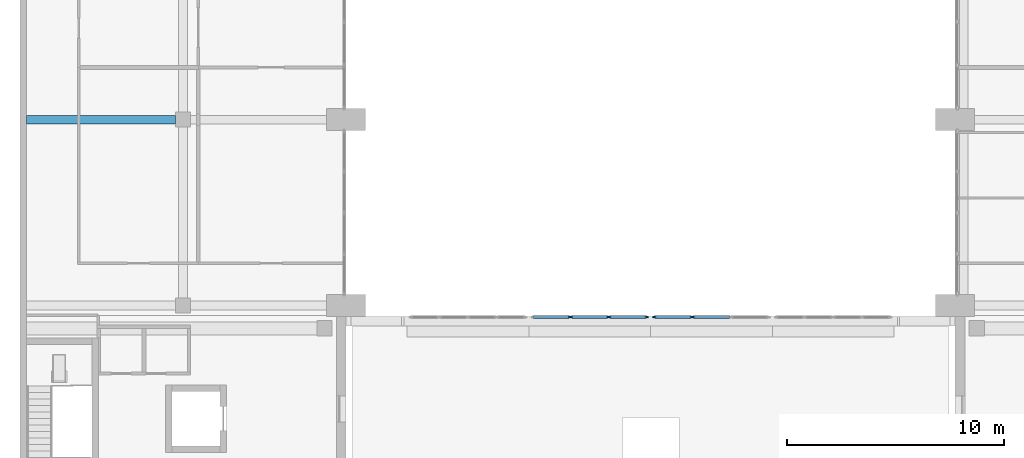
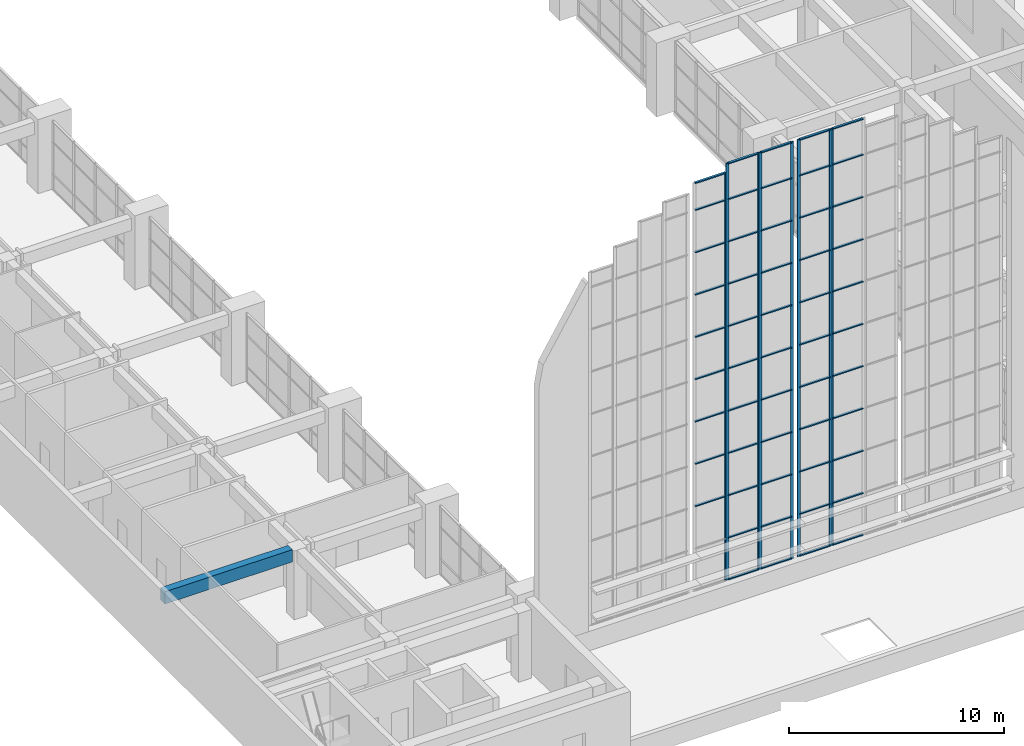
# One storey, part 3 of 45: 61 members, 1 beam, 5 elements without a shape of their own.
"""IFC4 building model written with IfcOpenShell, lengths in metres."""

from ifc_helpers import new_model, si_unit, direction, frame, origin, origin_2d, place, context, subcontext, project, spatial, rectangle, extrude, material, material_profile, profile_set, type_object, element, aggregate, save


model = new_model("IFC4")

# Units and contexts
model_context = context("Model", 3, precision=1e-05, world=origin(), true_north=direction((0.0, 1.0)))
body_context = subcontext(model_context, "Body", "Model", "MODEL_VIEW")
ifc_project = project(units=[si_unit("LENGTHUNIT", "METRE"), si_unit("AREAUNIT", "SQUARE_METRE"), si_unit("VOLUMEUNIT", "CUBIC_METRE"), si_unit("PLANEANGLEUNIT", "RADIAN"), si_unit("MASSUNIT", "GRAM", prefix="KILO")], contexts=[model_context])

# Site, building, storey
site_placement = place(None, origin())
site = spatial("IfcSite", under=ifc_project, at=site_placement, CompositionType="ELEMENT")
building_placement = place(site_placement, origin())
building = spatial("IfcBuilding", under=site, at=building_placement, Name="Elmora Arch Market Hall", CompositionType="ELEMENT")
storey_placement = place(building_placement, frame((0.0, 0.0, 6.0)))
storey = spatial("IfcBuildingStorey", under=building, at=storey_placement, Name="L01", CompositionType="ELEMENT", Elevation=6.0)

# Curtain wall, member
ifc_material_1 = material(Name="Aluminium", Category="aluminium")
curtain_wall_type = type_object("IfcCurtainWallType", Name="Gable curtain wall", PredefinedType="NOTDEFINED", material=ifc_material_1)
curtain_wall_1_placement = place(storey_placement, origin())
curtain_wall_1 = element("IfcCurtainWall", 1, at=curtain_wall_1_placement, inside=storey, type_object=curtain_wall_type, Name="South gable glazing 5", PredefinedType="NOTDEFINED")
ifc_material_2 = material(Name="Aluminium", Category="aluminium")
ifc_material_profile_1 = material_profile(ifc_material_2, rectangle(XDim=0.06005859375, YDim=0.159912109375, at=origin_2d()), Name="AL 60x160")
ifc_profile_set_1 = profile_set([ifc_material_profile_1], Name="Aluminium")
member_type_1 = type_object("IfcMemberType", Name="Mullion 60x160", PredefinedType="MULLION", material=ifc_profile_set_1)
member_1_placement = place(storey_placement, frame((25.28662109375, 26.919921875, 1.199951171875), z_axis=(0.0, 0.0, 1.0), x_axis=(0.0, 1.0, 0.0)))
member_1 = element("IfcMember", 2, at=member_1_placement, type_object=member_type_1, Name="CW8 mullion 2", PredefinedType="MULLION", context=body_context, shape_type="SweptSolid", body=[
    extrude(rectangle(XDim=0.06005859375, YDim=0.159912109375, at=origin_2d()), origin(), (0.0, 0.0, 1.0), 23.157958984375),
])

# Curtain wall, members
curtain_wall_2_placement = place(storey_placement, origin())
curtain_wall_2 = element("IfcCurtainWall", 3, at=curtain_wall_2_placement, inside=storey, type_object=curtain_wall_type, Name="South gable glazing 6", PredefinedType="NOTDEFINED")
member_2_placement = place(storey_placement, frame((25.3466796875, 26.919921875, 1.199951171875), z_axis=(0.0, 0.0, 1.0), x_axis=(0.0, 1.0, 0.0)))
member_2 = element("IfcMember", 4, at=member_2_placement, type_object=member_type_1, Name="CW8 mullion 1", PredefinedType="MULLION", context=body_context, shape_type="SweptSolid", body=[
    extrude(rectangle(XDim=0.06005859375, YDim=0.159912109375, at=origin_2d()), origin(), (0.0, 0.0, 1.0), 23.650146484375),
])
member_3_placement = place(storey_placement, frame((27.05322265625, 26.919921875, 1.199951171875), z_axis=(0.0, 0.0, 1.0), x_axis=(0.0, 1.0, 0.0)))
member_3 = element("IfcMember", 5, at=member_3_placement, type_object=member_type_1, Name="CW8 mullion 2", PredefinedType="MULLION", context=body_context, shape_type="SweptSolid", body=[
    extrude(rectangle(XDim=0.06005859375, YDim=0.159912109375, at=origin_2d()), origin(), (0.0, 0.0, 1.0), 23.650146484375),
])

curtain_wall_3_placement = place(storey_placement, origin())
curtain_wall_3 = element("IfcCurtainWall", 6, at=curtain_wall_3_placement, inside=storey, type_object=curtain_wall_type, Name="South gable glazing 7", PredefinedType="NOTDEFINED")
member_4_placement = place(storey_placement, frame((27.11328125, 26.919921875, 1.199951171875), z_axis=(0.0, 0.0, 1.0), x_axis=(0.0, 1.0, 0.0)))
member_4 = element("IfcMember", 7, at=member_4_placement, type_object=member_type_1, Name="CW8 mullion 1", PredefinedType="MULLION", context=body_context, shape_type="SweptSolid", body=[
    extrude(rectangle(XDim=0.06005859375, YDim=0.159912109375, at=origin_2d()), origin(), (0.0, 0.0, 1.0), 23.650146484375),
])
member_5_placement = place(storey_placement, frame((28.820068359375, 26.919921875, 1.199951171875), z_axis=(0.0, 0.0, 1.0), x_axis=(0.0, 1.0, 0.0)))
member_5 = element("IfcMember", 8, at=member_5_placement, type_object=member_type_1, Name="CW8 mullion 2", PredefinedType="MULLION", context=body_context, shape_type="SweptSolid", body=[
    extrude(rectangle(XDim=0.06005859375, YDim=0.159912109375, at=origin_2d()), origin(), (0.0, 0.0, 1.0), 23.650146484375),
])

curtain_wall_4_placement = place(storey_placement, origin())
curtain_wall_4 = element("IfcCurtainWall", 9, at=curtain_wall_4_placement, inside=storey, type_object=curtain_wall_type, Name="South gable glazing 8", PredefinedType="NOTDEFINED")
member_6_placement = place(storey_placement, frame((29.179931640625, 26.919921875, 1.199951171875), z_axis=(0.0, 0.0, 1.0), x_axis=(0.0, 1.0, 0.0)))
member_6 = element("IfcMember", 10, at=member_6_placement, type_object=member_type_1, Name="CW8 mullion 1", PredefinedType="MULLION", context=body_context, shape_type="SweptSolid", body=[
    extrude(rectangle(XDim=0.06005859375, YDim=0.159912109375, at=origin_2d()), origin(), (0.0, 0.0, 1.0), 23.650146484375),
])
member_7_placement = place(storey_placement, frame((30.88671875, 26.919921875, 1.199951171875), z_axis=(0.0, 0.0, 1.0), x_axis=(0.0, 1.0, 0.0)))
member_7 = element("IfcMember", 11, at=member_7_placement, type_object=member_type_1, Name="CW8 mullion 2", PredefinedType="MULLION", context=body_context, shape_type="SweptSolid", body=[
    extrude(rectangle(XDim=0.06005859375, YDim=0.159912109375, at=origin_2d()), origin(), (0.0, 0.0, 1.0), 23.650146484375),
])

# Curtain wall, member
curtain_wall_5_placement = place(storey_placement, origin())
curtain_wall_5 = element("IfcCurtainWall", 12, at=curtain_wall_5_placement, inside=storey, type_object=curtain_wall_type, Name="South gable glazing 9", PredefinedType="NOTDEFINED")
member_8_placement = place(storey_placement, frame((30.94677734375, 26.919921875, 1.199951171875), z_axis=(0.0, 0.0, 1.0), x_axis=(0.0, 1.0, 0.0)))
member_8 = element("IfcMember", 13, at=member_8_placement, type_object=member_type_1, Name="CW8 mullion 1", PredefinedType="MULLION", context=body_context, shape_type="SweptSolid", body=[
    extrude(rectangle(XDim=0.06005859375, YDim=0.159912109375, at=origin_2d()), origin(), (0.0, 0.0, 1.0), 23.650146484375),
])

# Member
ifc_material_3 = material(Name="Aluminium", Category="aluminium")
ifc_material_profile_2 = material_profile(ifc_material_3, rectangle(XDim=0.1201171875, YDim=0.06005859375, at=origin_2d()), Name="AL 120x60")
ifc_profile_set_2 = profile_set([ifc_material_profile_2], Name="Aluminium")
member_type_2 = type_object("IfcMemberType", Name="Transom 120x60", PredefinedType="USERDEFINED", material=ifc_profile_set_2)
member_9_placement = place(storey_placement, frame((23.610107421875, 26.919921875, 6.0), z_axis=(1.0, 0.0, 0.0), x_axis=(0.0, 1.0, 0.0)))
member_9 = element("IfcMember", 14, at=member_9_placement, type_object=member_type_2, Name="CW8 transom 1.3", ObjectType="TRANSOM", PredefinedType="USERDEFINED", context=body_context, shape_type="SweptSolid", body=[
    extrude(rectangle(XDim=0.1201171875, YDim=0.06005859375, at=origin_2d()), origin(), (0.0, 0.0, 1.0), 1.646484375),
])

member_10_placement = place(storey_placement, frame((23.610107421875, 26.919921875, 8.39990234375), z_axis=(1.0, 0.0, 0.0), x_axis=(0.0, 1.0, 0.0)))
member_10 = element("IfcMember", 15, at=member_10_placement, type_object=member_type_2, Name="CW8 transom 1.4", ObjectType="TRANSOM", PredefinedType="USERDEFINED", context=body_context, shape_type="SweptSolid", body=[
    extrude(rectangle(XDim=0.1201171875, YDim=0.06005859375, at=origin_2d()), origin(), (0.0, 0.0, 1.0), 1.646484375),
])

member_11_placement = place(storey_placement, frame((23.610107421875, 26.919921875, 10.800048828125), z_axis=(1.0, 0.0, 0.0), x_axis=(0.0, 1.0, 0.0)))
member_11 = element("IfcMember", 16, at=member_11_placement, type_object=member_type_2, Name="CW8 transom 1.5", ObjectType="TRANSOM", PredefinedType="USERDEFINED", context=body_context, shape_type="SweptSolid", body=[
    extrude(rectangle(XDim=0.1201171875, YDim=0.06005859375, at=origin_2d()), origin(), (0.0, 0.0, 1.0), 1.646484375),
])

member_12_placement = place(storey_placement, frame((23.610107421875, 26.919921875, 13.199951171875), z_axis=(1.0, 0.0, 0.0), x_axis=(0.0, 1.0, 0.0)))
member_12 = element("IfcMember", 17, at=member_12_placement, type_object=member_type_2, Name="CW8 transom 1.6", ObjectType="TRANSOM", PredefinedType="USERDEFINED", context=body_context, shape_type="SweptSolid", body=[
    extrude(rectangle(XDim=0.1201171875, YDim=0.06005859375, at=origin_2d()), origin(), (0.0, 0.0, 1.0), 1.646484375),
])

member_13_placement = place(storey_placement, frame((23.610107421875, 26.919921875, 15.60009765625), z_axis=(1.0, 0.0, 0.0), x_axis=(0.0, 1.0, 0.0)))
member_13 = element("IfcMember", 18, at=member_13_placement, type_object=member_type_2, Name="CW8 transom 1.7", ObjectType="TRANSOM", PredefinedType="USERDEFINED", context=body_context, shape_type="SweptSolid", body=[
    extrude(rectangle(XDim=0.1201171875, YDim=0.06005859375, at=origin_2d()), origin(), (0.0, 0.0, 1.0), 1.646484375),
])

member_14_placement = place(storey_placement, frame((23.610107421875, 26.919921875, 18.0), z_axis=(1.0, 0.0, 0.0), x_axis=(0.0, 1.0, 0.0)))
member_14 = element("IfcMember", 19, at=member_14_placement, type_object=member_type_2, Name="CW8 transom 1.8", ObjectType="TRANSOM", PredefinedType="USERDEFINED", context=body_context, shape_type="SweptSolid", body=[
    extrude(rectangle(XDim=0.1201171875, YDim=0.06005859375, at=origin_2d()), origin(), (0.0, 0.0, 1.0), 1.646484375),
])

member_15_placement = place(storey_placement, frame((23.610107421875, 26.919921875, 20.39990234375), z_axis=(1.0, 0.0, 0.0), x_axis=(0.0, 1.0, 0.0)))
member_15 = element("IfcMember", 20, at=member_15_placement, type_object=member_type_2, Name="CW8 transom 1.9", ObjectType="TRANSOM", PredefinedType="USERDEFINED", context=body_context, shape_type="SweptSolid", body=[
    extrude(rectangle(XDim=0.1201171875, YDim=0.06005859375, at=origin_2d()), origin(), (0.0, 0.0, 1.0), 1.646484375),
])

member_16_placement = place(storey_placement, frame((23.610107421875, 26.919921875, 22.800048828125), z_axis=(1.0, 0.0, 0.0), x_axis=(0.0, 1.0, 0.0)))
member_16 = element("IfcMember", 21, at=member_16_placement, type_object=member_type_2, Name="CW8 transom 1.10", ObjectType="TRANSOM", PredefinedType="USERDEFINED", context=body_context, shape_type="SweptSolid", body=[
    extrude(rectangle(XDim=0.1201171875, YDim=0.06005859375, at=origin_2d()), origin(), (0.0, 0.0, 1.0), 1.646484375),
])

member_17_placement = place(storey_placement, frame((23.610107421875, 26.919921875, 24.327880859375), z_axis=(1.0, 0.0, 0.0), x_axis=(0.0, 1.0, 0.0)))
member_17 = element("IfcMember", 22, at=member_17_placement, type_object=member_type_2, Name="CW8 transom 1.11", ObjectType="TRANSOM", PredefinedType="USERDEFINED", context=body_context, shape_type="SweptSolid", body=[
    extrude(rectangle(XDim=0.1201171875, YDim=0.06005859375, at=origin_2d()), origin(), (0.0, 0.0, 1.0), 1.646484375),
])

aggregate(curtain_wall_1, [member_1, member_9, member_10, member_11, member_12, member_13, member_14, member_15, member_16, member_17])

member_18_placement = place(storey_placement, frame((25.376708984375, 26.919921875, 1.22998046875), z_axis=(1.0, 0.0, 0.0), x_axis=(0.0, 1.0, 0.0)))
member_18 = element("IfcMember", 23, at=member_18_placement, type_object=member_type_2, Name="CW8 transom 1.1", ObjectType="TRANSOM", PredefinedType="USERDEFINED", context=body_context, shape_type="SweptSolid", body=[
    extrude(rectangle(XDim=0.1201171875, YDim=0.06005859375, at=origin_2d()), origin(), (0.0, 0.0, 1.0), 1.646728515625),
])

member_19_placement = place(storey_placement, frame((25.376708984375, 26.919921875, 3.60009765625), z_axis=(1.0, 0.0, 0.0), x_axis=(0.0, 1.0, 0.0)))
member_19 = element("IfcMember", 24, at=member_19_placement, type_object=member_type_2, Name="CW8 transom 1.2", ObjectType="TRANSOM", PredefinedType="USERDEFINED", context=body_context, shape_type="SweptSolid", body=[
    extrude(rectangle(XDim=0.1201171875, YDim=0.06005859375, at=origin_2d()), origin(), (0.0, 0.0, 1.0), 1.646728515625),
])

member_20_placement = place(storey_placement, frame((25.376708984375, 26.919921875, 6.0), z_axis=(1.0, 0.0, 0.0), x_axis=(0.0, 1.0, 0.0)))
member_20 = element("IfcMember", 25, at=member_20_placement, type_object=member_type_2, Name="CW8 transom 1.3", ObjectType="TRANSOM", PredefinedType="USERDEFINED", context=body_context, shape_type="SweptSolid", body=[
    extrude(rectangle(XDim=0.1201171875, YDim=0.06005859375, at=origin_2d()), origin(), (0.0, 0.0, 1.0), 1.646728515625),
])

member_21_placement = place(storey_placement, frame((25.376708984375, 26.919921875, 8.39990234375), z_axis=(1.0, 0.0, 0.0), x_axis=(0.0, 1.0, 0.0)))
member_21 = element("IfcMember", 26, at=member_21_placement, type_object=member_type_2, Name="CW8 transom 1.4", ObjectType="TRANSOM", PredefinedType="USERDEFINED", context=body_context, shape_type="SweptSolid", body=[
    extrude(rectangle(XDim=0.1201171875, YDim=0.06005859375, at=origin_2d()), origin(), (0.0, 0.0, 1.0), 1.646728515625),
])

member_22_placement = place(storey_placement, frame((25.376708984375, 26.919921875, 10.800048828125), z_axis=(1.0, 0.0, 0.0), x_axis=(0.0, 1.0, 0.0)))
member_22 = element("IfcMember", 27, at=member_22_placement, type_object=member_type_2, Name="CW8 transom 1.5", ObjectType="TRANSOM", PredefinedType="USERDEFINED", context=body_context, shape_type="SweptSolid", body=[
    extrude(rectangle(XDim=0.1201171875, YDim=0.06005859375, at=origin_2d()), origin(), (0.0, 0.0, 1.0), 1.646728515625),
])

member_23_placement = place(storey_placement, frame((25.376708984375, 26.919921875, 13.199951171875), z_axis=(1.0, 0.0, 0.0), x_axis=(0.0, 1.0, 0.0)))
member_23 = element("IfcMember", 28, at=member_23_placement, type_object=member_type_2, Name="CW8 transom 1.6", ObjectType="TRANSOM", PredefinedType="USERDEFINED", context=body_context, shape_type="SweptSolid", body=[
    extrude(rectangle(XDim=0.1201171875, YDim=0.06005859375, at=origin_2d()), origin(), (0.0, 0.0, 1.0), 1.646728515625),
])

member_24_placement = place(storey_placement, frame((25.376708984375, 26.919921875, 15.60009765625), z_axis=(1.0, 0.0, 0.0), x_axis=(0.0, 1.0, 0.0)))
member_24 = element("IfcMember", 29, at=member_24_placement, type_object=member_type_2, Name="CW8 transom 1.7", ObjectType="TRANSOM", PredefinedType="USERDEFINED", context=body_context, shape_type="SweptSolid", body=[
    extrude(rectangle(XDim=0.1201171875, YDim=0.06005859375, at=origin_2d()), origin(), (0.0, 0.0, 1.0), 1.646728515625),
])

member_25_placement = place(storey_placement, frame((25.376708984375, 26.919921875, 18.0), z_axis=(1.0, 0.0, 0.0), x_axis=(0.0, 1.0, 0.0)))
member_25 = element("IfcMember", 30, at=member_25_placement, type_object=member_type_2, Name="CW8 transom 1.8", ObjectType="TRANSOM", PredefinedType="USERDEFINED", context=body_context, shape_type="SweptSolid", body=[
    extrude(rectangle(XDim=0.1201171875, YDim=0.06005859375, at=origin_2d()), origin(), (0.0, 0.0, 1.0), 1.646728515625),
])

member_26_placement = place(storey_placement, frame((25.376708984375, 26.919921875, 20.39990234375), z_axis=(1.0, 0.0, 0.0), x_axis=(0.0, 1.0, 0.0)))
member_26 = element("IfcMember", 31, at=member_26_placement, type_object=member_type_2, Name="CW8 transom 1.9", ObjectType="TRANSOM", PredefinedType="USERDEFINED", context=body_context, shape_type="SweptSolid", body=[
    extrude(rectangle(XDim=0.1201171875, YDim=0.06005859375, at=origin_2d()), origin(), (0.0, 0.0, 1.0), 1.646728515625),
])

member_27_placement = place(storey_placement, frame((25.376708984375, 26.919921875, 22.800048828125), z_axis=(1.0, 0.0, 0.0), x_axis=(0.0, 1.0, 0.0)))
member_27 = element("IfcMember", 32, at=member_27_placement, type_object=member_type_2, Name="CW8 transom 1.10", ObjectType="TRANSOM", PredefinedType="USERDEFINED", context=body_context, shape_type="SweptSolid", body=[
    extrude(rectangle(XDim=0.1201171875, YDim=0.06005859375, at=origin_2d()), origin(), (0.0, 0.0, 1.0), 1.646728515625),
])

member_28_placement = place(storey_placement, frame((25.376708984375, 26.919921875, 24.820068359375), z_axis=(1.0, 0.0, 0.0), x_axis=(0.0, 1.0, 0.0)))
member_28 = element("IfcMember", 33, at=member_28_placement, type_object=member_type_2, Name="CW8 transom 1.11", ObjectType="TRANSOM", PredefinedType="USERDEFINED", context=body_context, shape_type="SweptSolid", body=[
    extrude(rectangle(XDim=0.1201171875, YDim=0.06005859375, at=origin_2d()), origin(), (0.0, 0.0, 1.0), 1.646728515625),
])

aggregate(curtain_wall_2, [member_2, member_3, member_18, member_19, member_20, member_21, member_22, member_23, member_24, member_25, member_26, member_27, member_28])

member_29_placement = place(storey_placement, frame((27.143310546875, 26.919921875, 1.22998046875), z_axis=(1.0, 0.0, 0.0), x_axis=(0.0, 1.0, 0.0)))
member_29 = element("IfcMember", 34, at=member_29_placement, type_object=member_type_2, Name="CW8 transom 1.1", ObjectType="TRANSOM", PredefinedType="USERDEFINED", context=body_context, shape_type="SweptSolid", body=[
    extrude(rectangle(XDim=0.1201171875, YDim=0.06005859375, at=origin_2d()), origin(), (0.0, 0.0, 1.0), 1.646728515625),
])

member_30_placement = place(storey_placement, frame((27.143310546875, 26.919921875, 3.60009765625), z_axis=(1.0, 0.0, 0.0), x_axis=(0.0, 1.0, 0.0)))
member_30 = element("IfcMember", 35, at=member_30_placement, type_object=member_type_2, Name="CW8 transom 1.2", ObjectType="TRANSOM", PredefinedType="USERDEFINED", context=body_context, shape_type="SweptSolid", body=[
    extrude(rectangle(XDim=0.1201171875, YDim=0.06005859375, at=origin_2d()), origin(), (0.0, 0.0, 1.0), 1.646728515625),
])

member_31_placement = place(storey_placement, frame((27.143310546875, 26.919921875, 6.0), z_axis=(1.0, 0.0, 0.0), x_axis=(0.0, 1.0, 0.0)))
member_31 = element("IfcMember", 36, at=member_31_placement, type_object=member_type_2, Name="CW8 transom 1.3", ObjectType="TRANSOM", PredefinedType="USERDEFINED", context=body_context, shape_type="SweptSolid", body=[
    extrude(rectangle(XDim=0.1201171875, YDim=0.06005859375, at=origin_2d()), origin(), (0.0, 0.0, 1.0), 1.646728515625),
])

member_32_placement = place(storey_placement, frame((27.143310546875, 26.919921875, 8.39990234375), z_axis=(1.0, 0.0, 0.0), x_axis=(0.0, 1.0, 0.0)))
member_32 = element("IfcMember", 37, at=member_32_placement, type_object=member_type_2, Name="CW8 transom 1.4", ObjectType="TRANSOM", PredefinedType="USERDEFINED", context=body_context, shape_type="SweptSolid", body=[
    extrude(rectangle(XDim=0.1201171875, YDim=0.06005859375, at=origin_2d()), origin(), (0.0, 0.0, 1.0), 1.646728515625),
])

member_33_placement = place(storey_placement, frame((27.143310546875, 26.919921875, 10.800048828125), z_axis=(1.0, 0.0, 0.0), x_axis=(0.0, 1.0, 0.0)))
member_33 = element("IfcMember", 38, at=member_33_placement, type_object=member_type_2, Name="CW8 transom 1.5", ObjectType="TRANSOM", PredefinedType="USERDEFINED", context=body_context, shape_type="SweptSolid", body=[
    extrude(rectangle(XDim=0.1201171875, YDim=0.06005859375, at=origin_2d()), origin(), (0.0, 0.0, 1.0), 1.646728515625),
])

member_34_placement = place(storey_placement, frame((27.143310546875, 26.919921875, 13.199951171875), z_axis=(1.0, 0.0, 0.0), x_axis=(0.0, 1.0, 0.0)))
member_34 = element("IfcMember", 39, at=member_34_placement, type_object=member_type_2, Name="CW8 transom 1.6", ObjectType="TRANSOM", PredefinedType="USERDEFINED", context=body_context, shape_type="SweptSolid", body=[
    extrude(rectangle(XDim=0.1201171875, YDim=0.06005859375, at=origin_2d()), origin(), (0.0, 0.0, 1.0), 1.646728515625),
])

member_35_placement = place(storey_placement, frame((27.143310546875, 26.919921875, 15.60009765625), z_axis=(1.0, 0.0, 0.0), x_axis=(0.0, 1.0, 0.0)))
member_35 = element("IfcMember", 40, at=member_35_placement, type_object=member_type_2, Name="CW8 transom 1.7", ObjectType="TRANSOM", PredefinedType="USERDEFINED", context=body_context, shape_type="SweptSolid", body=[
    extrude(rectangle(XDim=0.1201171875, YDim=0.06005859375, at=origin_2d()), origin(), (0.0, 0.0, 1.0), 1.646728515625),
])

member_36_placement = place(storey_placement, frame((27.143310546875, 26.919921875, 18.0), z_axis=(1.0, 0.0, 0.0), x_axis=(0.0, 1.0, 0.0)))
member_36 = element("IfcMember", 41, at=member_36_placement, type_object=member_type_2, Name="CW8 transom 1.8", ObjectType="TRANSOM", PredefinedType="USERDEFINED", context=body_context, shape_type="SweptSolid", body=[
    extrude(rectangle(XDim=0.1201171875, YDim=0.06005859375, at=origin_2d()), origin(), (0.0, 0.0, 1.0), 1.646728515625),
])

member_37_placement = place(storey_placement, frame((27.143310546875, 26.919921875, 20.39990234375), z_axis=(1.0, 0.0, 0.0), x_axis=(0.0, 1.0, 0.0)))
member_37 = element("IfcMember", 42, at=member_37_placement, type_object=member_type_2, Name="CW8 transom 1.9", ObjectType="TRANSOM", PredefinedType="USERDEFINED", context=body_context, shape_type="SweptSolid", body=[
    extrude(rectangle(XDim=0.1201171875, YDim=0.06005859375, at=origin_2d()), origin(), (0.0, 0.0, 1.0), 1.646728515625),
])

member_38_placement = place(storey_placement, frame((27.143310546875, 26.919921875, 22.800048828125), z_axis=(1.0, 0.0, 0.0), x_axis=(0.0, 1.0, 0.0)))
member_38 = element("IfcMember", 43, at=member_38_placement, type_object=member_type_2, Name="CW8 transom 1.10", ObjectType="TRANSOM", PredefinedType="USERDEFINED", context=body_context, shape_type="SweptSolid", body=[
    extrude(rectangle(XDim=0.1201171875, YDim=0.06005859375, at=origin_2d()), origin(), (0.0, 0.0, 1.0), 1.646728515625),
])

member_39_placement = place(storey_placement, frame((27.143310546875, 26.919921875, 24.820068359375), z_axis=(1.0, 0.0, 0.0), x_axis=(0.0, 1.0, 0.0)))
member_39 = element("IfcMember", 44, at=member_39_placement, type_object=member_type_2, Name="CW8 transom 1.11", ObjectType="TRANSOM", PredefinedType="USERDEFINED", context=body_context, shape_type="SweptSolid", body=[
    extrude(rectangle(XDim=0.1201171875, YDim=0.06005859375, at=origin_2d()), origin(), (0.0, 0.0, 1.0), 1.646728515625),
])

aggregate(curtain_wall_3, [member_4, member_5, member_29, member_30, member_31, member_32, member_33, member_34, member_35, member_36, member_37, member_38, member_39])

member_40_placement = place(storey_placement, frame((29.2099609375, 26.919921875, 1.22998046875), z_axis=(1.0, 0.0, 0.0), x_axis=(0.0, 1.0, 0.0)))
member_40 = element("IfcMember", 45, at=member_40_placement, type_object=member_type_2, Name="CW8 transom 1.1", ObjectType="TRANSOM", PredefinedType="USERDEFINED", context=body_context, shape_type="SweptSolid", body=[
    extrude(rectangle(XDim=0.1201171875, YDim=0.06005859375, at=origin_2d()), origin(), (0.0, 0.0, 1.0), 1.646728515625),
])

member_41_placement = place(storey_placement, frame((29.2099609375, 26.919921875, 3.60009765625), z_axis=(1.0, 0.0, 0.0), x_axis=(0.0, 1.0, 0.0)))
member_41 = element("IfcMember", 46, at=member_41_placement, type_object=member_type_2, Name="CW8 transom 1.2", ObjectType="TRANSOM", PredefinedType="USERDEFINED", context=body_context, shape_type="SweptSolid", body=[
    extrude(rectangle(XDim=0.1201171875, YDim=0.06005859375, at=origin_2d()), origin(), (0.0, 0.0, 1.0), 1.646728515625),
])

member_42_placement = place(storey_placement, frame((29.2099609375, 26.919921875, 6.0), z_axis=(1.0, 0.0, 0.0), x_axis=(0.0, 1.0, 0.0)))
member_42 = element("IfcMember", 47, at=member_42_placement, type_object=member_type_2, Name="CW8 transom 1.3", ObjectType="TRANSOM", PredefinedType="USERDEFINED", context=body_context, shape_type="SweptSolid", body=[
    extrude(rectangle(XDim=0.1201171875, YDim=0.06005859375, at=origin_2d()), origin(), (0.0, 0.0, 1.0), 1.646728515625),
])

member_43_placement = place(storey_placement, frame((29.2099609375, 26.919921875, 8.39990234375), z_axis=(1.0, 0.0, 0.0), x_axis=(0.0, 1.0, 0.0)))
member_43 = element("IfcMember", 48, at=member_43_placement, type_object=member_type_2, Name="CW8 transom 1.4", ObjectType="TRANSOM", PredefinedType="USERDEFINED", context=body_context, shape_type="SweptSolid", body=[
    extrude(rectangle(XDim=0.1201171875, YDim=0.06005859375, at=origin_2d()), origin(), (0.0, 0.0, 1.0), 1.646728515625),
])

member_44_placement = place(storey_placement, frame((29.2099609375, 26.919921875, 10.800048828125), z_axis=(1.0, 0.0, 0.0), x_axis=(0.0, 1.0, 0.0)))
member_44 = element("IfcMember", 49, at=member_44_placement, type_object=member_type_2, Name="CW8 transom 1.5", ObjectType="TRANSOM", PredefinedType="USERDEFINED", context=body_context, shape_type="SweptSolid", body=[
    extrude(rectangle(XDim=0.1201171875, YDim=0.06005859375, at=origin_2d()), origin(), (0.0, 0.0, 1.0), 1.646728515625),
])

member_45_placement = place(storey_placement, frame((29.2099609375, 26.919921875, 13.199951171875), z_axis=(1.0, 0.0, 0.0), x_axis=(0.0, 1.0, 0.0)))
member_45 = element("IfcMember", 50, at=member_45_placement, type_object=member_type_2, Name="CW8 transom 1.6", ObjectType="TRANSOM", PredefinedType="USERDEFINED", context=body_context, shape_type="SweptSolid", body=[
    extrude(rectangle(XDim=0.1201171875, YDim=0.06005859375, at=origin_2d()), origin(), (0.0, 0.0, 1.0), 1.646728515625),
])

member_46_placement = place(storey_placement, frame((29.2099609375, 26.919921875, 15.60009765625), z_axis=(1.0, 0.0, 0.0), x_axis=(0.0, 1.0, 0.0)))
member_46 = element("IfcMember", 51, at=member_46_placement, type_object=member_type_2, Name="CW8 transom 1.7", ObjectType="TRANSOM", PredefinedType="USERDEFINED", context=body_context, shape_type="SweptSolid", body=[
    extrude(rectangle(XDim=0.1201171875, YDim=0.06005859375, at=origin_2d()), origin(), (0.0, 0.0, 1.0), 1.646728515625),
])

member_47_placement = place(storey_placement, frame((29.2099609375, 26.919921875, 18.0), z_axis=(1.0, 0.0, 0.0), x_axis=(0.0, 1.0, 0.0)))
member_47 = element("IfcMember", 52, at=member_47_placement, type_object=member_type_2, Name="CW8 transom 1.8", ObjectType="TRANSOM", PredefinedType="USERDEFINED", context=body_context, shape_type="SweptSolid", body=[
    extrude(rectangle(XDim=0.1201171875, YDim=0.06005859375, at=origin_2d()), origin(), (0.0, 0.0, 1.0), 1.646728515625),
])

member_48_placement = place(storey_placement, frame((29.2099609375, 26.919921875, 20.39990234375), z_axis=(1.0, 0.0, 0.0), x_axis=(0.0, 1.0, 0.0)))
member_48 = element("IfcMember", 53, at=member_48_placement, type_object=member_type_2, Name="CW8 transom 1.9", ObjectType="TRANSOM", PredefinedType="USERDEFINED", context=body_context, shape_type="SweptSolid", body=[
    extrude(rectangle(XDim=0.1201171875, YDim=0.06005859375, at=origin_2d()), origin(), (0.0, 0.0, 1.0), 1.646728515625),
])

member_49_placement = place(storey_placement, frame((29.2099609375, 26.919921875, 22.800048828125), z_axis=(1.0, 0.0, 0.0), x_axis=(0.0, 1.0, 0.0)))
member_49 = element("IfcMember", 54, at=member_49_placement, type_object=member_type_2, Name="CW8 transom 1.10", ObjectType="TRANSOM", PredefinedType="USERDEFINED", context=body_context, shape_type="SweptSolid", body=[
    extrude(rectangle(XDim=0.1201171875, YDim=0.06005859375, at=origin_2d()), origin(), (0.0, 0.0, 1.0), 1.646728515625),
])

member_50_placement = place(storey_placement, frame((29.2099609375, 26.919921875, 24.820068359375), z_axis=(1.0, 0.0, 0.0), x_axis=(0.0, 1.0, 0.0)))
member_50 = element("IfcMember", 55, at=member_50_placement, type_object=member_type_2, Name="CW8 transom 1.11", ObjectType="TRANSOM", PredefinedType="USERDEFINED", context=body_context, shape_type="SweptSolid", body=[
    extrude(rectangle(XDim=0.1201171875, YDim=0.06005859375, at=origin_2d()), origin(), (0.0, 0.0, 1.0), 1.646728515625),
])

aggregate(curtain_wall_4, [member_6, member_7, member_40, member_41, member_42, member_43, member_44, member_45, member_46, member_47, member_48, member_49, member_50])

member_51_placement = place(storey_placement, frame((30.9765625, 26.919921875, 1.22998046875), z_axis=(1.0, 0.0, 0.0), x_axis=(0.0, 1.0, 0.0)))
member_51 = element("IfcMember", 56, at=member_51_placement, type_object=member_type_2, Name="CW8 transom 1.1", ObjectType="TRANSOM", PredefinedType="USERDEFINED", context=body_context, shape_type="SweptSolid", body=[
    extrude(rectangle(XDim=0.1201171875, YDim=0.06005859375, at=origin_2d()), origin(), (0.0, 0.0, 1.0), 1.646728515625),
])

member_52_placement = place(storey_placement, frame((30.9765625, 26.919921875, 3.60009765625), z_axis=(1.0, 0.0, 0.0), x_axis=(0.0, 1.0, 0.0)))
member_52 = element("IfcMember", 57, at=member_52_placement, type_object=member_type_2, Name="CW8 transom 1.2", ObjectType="TRANSOM", PredefinedType="USERDEFINED", context=body_context, shape_type="SweptSolid", body=[
    extrude(rectangle(XDim=0.1201171875, YDim=0.06005859375, at=origin_2d()), origin(), (0.0, 0.0, 1.0), 1.646728515625),
])

member_53_placement = place(storey_placement, frame((30.9765625, 26.919921875, 6.0), z_axis=(1.0, 0.0, 0.0), x_axis=(0.0, 1.0, 0.0)))
member_53 = element("IfcMember", 58, at=member_53_placement, type_object=member_type_2, Name="CW8 transom 1.3", ObjectType="TRANSOM", PredefinedType="USERDEFINED", context=body_context, shape_type="SweptSolid", body=[
    extrude(rectangle(XDim=0.1201171875, YDim=0.06005859375, at=origin_2d()), origin(), (0.0, 0.0, 1.0), 1.646728515625),
])

member_54_placement = place(storey_placement, frame((30.9765625, 26.919921875, 8.39990234375), z_axis=(1.0, 0.0, 0.0), x_axis=(0.0, 1.0, 0.0)))
member_54 = element("IfcMember", 59, at=member_54_placement, type_object=member_type_2, Name="CW8 transom 1.4", ObjectType="TRANSOM", PredefinedType="USERDEFINED", context=body_context, shape_type="SweptSolid", body=[
    extrude(rectangle(XDim=0.1201171875, YDim=0.06005859375, at=origin_2d()), origin(), (0.0, 0.0, 1.0), 1.646728515625),
])

member_55_placement = place(storey_placement, frame((30.9765625, 26.919921875, 10.800048828125), z_axis=(1.0, 0.0, 0.0), x_axis=(0.0, 1.0, 0.0)))
member_55 = element("IfcMember", 60, at=member_55_placement, type_object=member_type_2, Name="CW8 transom 1.5", ObjectType="TRANSOM", PredefinedType="USERDEFINED", context=body_context, shape_type="SweptSolid", body=[
    extrude(rectangle(XDim=0.1201171875, YDim=0.06005859375, at=origin_2d()), origin(), (0.0, 0.0, 1.0), 1.646728515625),
])

member_56_placement = place(storey_placement, frame((30.9765625, 26.919921875, 13.199951171875), z_axis=(1.0, 0.0, 0.0), x_axis=(0.0, 1.0, 0.0)))
member_56 = element("IfcMember", 61, at=member_56_placement, type_object=member_type_2, Name="CW8 transom 1.6", ObjectType="TRANSOM", PredefinedType="USERDEFINED", context=body_context, shape_type="SweptSolid", body=[
    extrude(rectangle(XDim=0.1201171875, YDim=0.06005859375, at=origin_2d()), origin(), (0.0, 0.0, 1.0), 1.646728515625),
])

member_57_placement = place(storey_placement, frame((30.9765625, 26.919921875, 15.60009765625), z_axis=(1.0, 0.0, 0.0), x_axis=(0.0, 1.0, 0.0)))
member_57 = element("IfcMember", 62, at=member_57_placement, type_object=member_type_2, Name="CW8 transom 1.7", ObjectType="TRANSOM", PredefinedType="USERDEFINED", context=body_context, shape_type="SweptSolid", body=[
    extrude(rectangle(XDim=0.1201171875, YDim=0.06005859375, at=origin_2d()), origin(), (0.0, 0.0, 1.0), 1.646728515625),
])

member_58_placement = place(storey_placement, frame((30.9765625, 26.919921875, 18.0), z_axis=(1.0, 0.0, 0.0), x_axis=(0.0, 1.0, 0.0)))
member_58 = element("IfcMember", 63, at=member_58_placement, type_object=member_type_2, Name="CW8 transom 1.8", ObjectType="TRANSOM", PredefinedType="USERDEFINED", context=body_context, shape_type="SweptSolid", body=[
    extrude(rectangle(XDim=0.1201171875, YDim=0.06005859375, at=origin_2d()), origin(), (0.0, 0.0, 1.0), 1.646728515625),
])

member_59_placement = place(storey_placement, frame((30.9765625, 26.919921875, 20.39990234375), z_axis=(1.0, 0.0, 0.0), x_axis=(0.0, 1.0, 0.0)))
member_59 = element("IfcMember", 64, at=member_59_placement, type_object=member_type_2, Name="CW8 transom 1.9", ObjectType="TRANSOM", PredefinedType="USERDEFINED", context=body_context, shape_type="SweptSolid", body=[
    extrude(rectangle(XDim=0.1201171875, YDim=0.06005859375, at=origin_2d()), origin(), (0.0, 0.0, 1.0), 1.646728515625),
])

member_60_placement = place(storey_placement, frame((30.9765625, 26.919921875, 22.800048828125), z_axis=(1.0, 0.0, 0.0), x_axis=(0.0, 1.0, 0.0)))
member_60 = element("IfcMember", 65, at=member_60_placement, type_object=member_type_2, Name="CW8 transom 1.10", ObjectType="TRANSOM", PredefinedType="USERDEFINED", context=body_context, shape_type="SweptSolid", body=[
    extrude(rectangle(XDim=0.1201171875, YDim=0.06005859375, at=origin_2d()), origin(), (0.0, 0.0, 1.0), 1.646728515625),
])

member_61_placement = place(storey_placement, frame((30.9765625, 26.919921875, 24.820068359375), z_axis=(1.0, 0.0, 0.0), x_axis=(0.0, 1.0, 0.0)))
member_61 = element("IfcMember", 66, at=member_61_placement, type_object=member_type_2, Name="CW8 transom 1.11", ObjectType="TRANSOM", PredefinedType="USERDEFINED", context=body_context, shape_type="SweptSolid", body=[
    extrude(rectangle(XDim=0.1201171875, YDim=0.06005859375, at=origin_2d()), origin(), (0.0, 0.0, 1.0), 1.646728515625),
])

aggregate(curtain_wall_5, [member_8, member_51, member_52, member_53, member_54, member_55, member_56, member_57, member_58, member_59, member_60, member_61])

# Beam
ifc_material_4 = material(Name="Concrete C32/40", Category="concrete")
ifc_material_profile_3 = material_profile(ifc_material_4, rectangle(XDim=0.39990234375, YDim=0.699951171875, at=origin_2d()), Name="Wing beam 400x700")
ifc_profile_set_3 = profile_set([ifc_material_profile_3], Name="Concrete C32/40")
beam_type = type_object("IfcBeamType", Name="Wing beam 400x700", PredefinedType="BEAM", material=ifc_profile_set_3)
beam_placement = place(storey_placement, frame((0.300048828125, 36.0, 3.550048828125), z_axis=(1.0, 0.0, 0.0), x_axis=(0.0, 1.0, 0.0)))
element("IfcBeam", 67, at=beam_placement, inside=storey, type_object=beam_type, Name="Wing beam WR2 L01.1", PredefinedType="BEAM", context=body_context, shape_type="SweptSolid", body=[
    extrude(rectangle(XDim=0.39990234375, YDim=0.699951171875, at=origin_2d()), origin(), (0.0, 0.0, 1.0), 6.849853515625),
])

save(model, "model.ifc")
